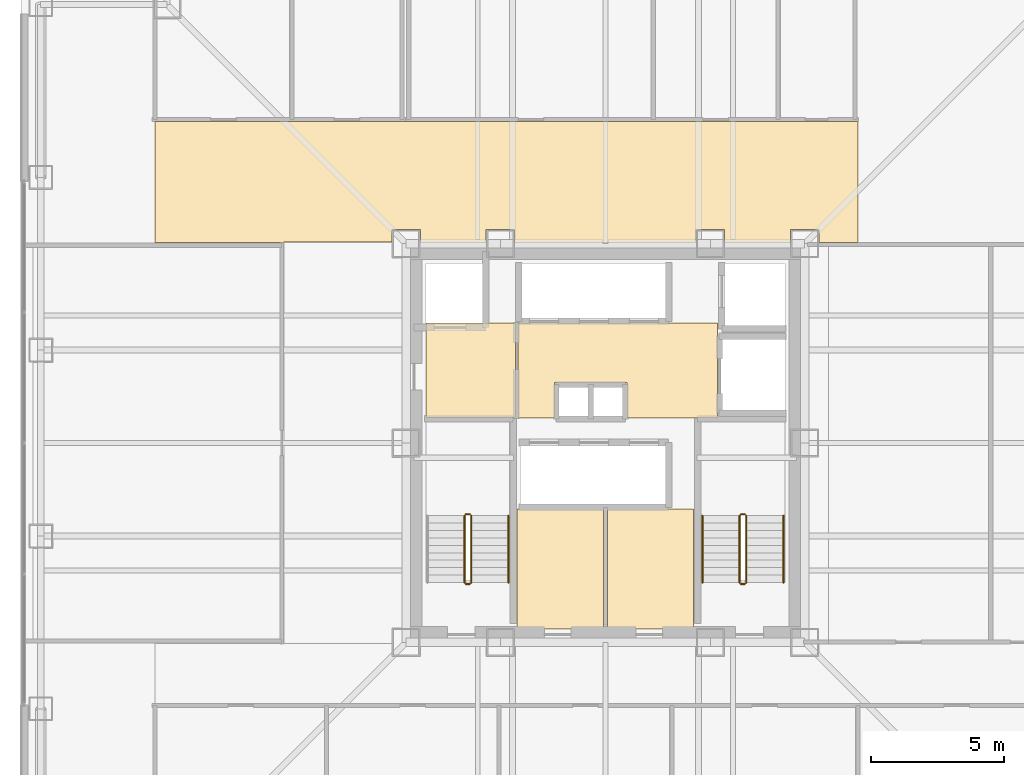
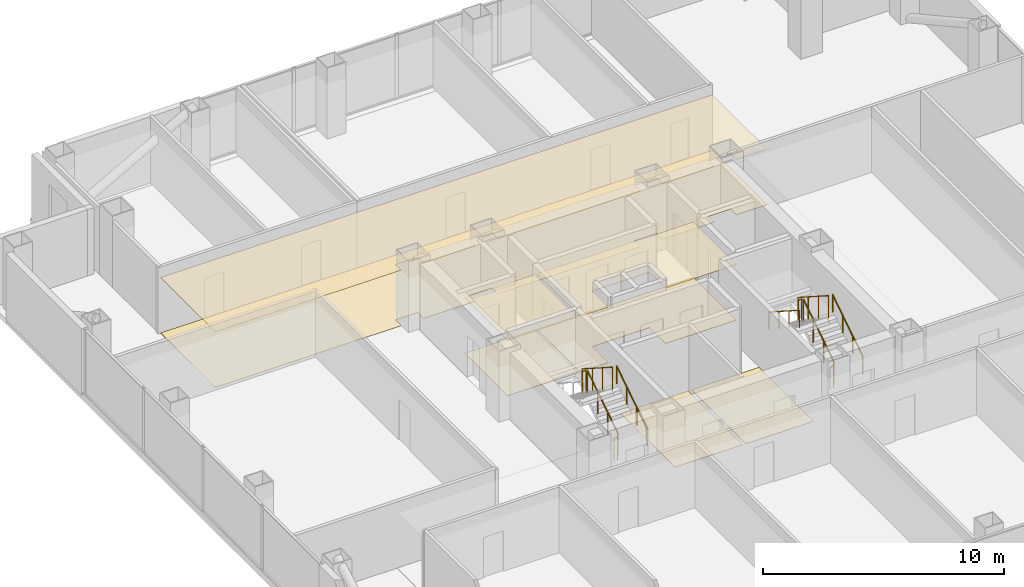
# One storey, part 12 of 13: 11 railings, 8 coverings.
"""IFC4 building model written with IfcOpenShell, lengths in metres."""

from ifc_helpers import new_model, si_unit, direction, frame, origin, origin_2d, place, context, subcontext, project, spatial, polyline, circle, outline, extrude, material, layer, layer_set, type_object, element, save


model = new_model("IFC4")

# Units and contexts
model_context = context("Model", 3, precision=1e-05, world=origin(), true_north=direction((0.0, 1.0)))
body_context = subcontext(model_context, "Body", "Model", "MODEL_VIEW")
ifc_project = project(units=[si_unit("LENGTHUNIT", "METRE"), si_unit("AREAUNIT", "SQUARE_METRE"), si_unit("VOLUMEUNIT", "CUBIC_METRE"), si_unit("PLANEANGLEUNIT", "RADIAN"), si_unit("MASSUNIT", "GRAM", prefix="KILO")], contexts=[model_context])

# Site, building, storey
site_placement = place(None, origin())
site = spatial("IfcSite", under=ifc_project, at=site_placement, CompositionType="ELEMENT")
building_placement = place(site_placement, origin())
building = spatial("IfcBuilding", under=site, at=building_placement, Name="Trevonay Congress Spire", CompositionType="ELEMENT")
storey_placement = place(building_placement, frame((0.0, 0.0, 112.0)))
storey = spatial("IfcBuildingStorey", under=building, at=storey_placement, Name="L28", CompositionType="ELEMENT", Elevation=112.0)

# Coverings
ifc_material_1 = material(Name="Acoustic Mineral Fibre Board", Category="gypsum")
ifc_layer_1 = layer(ifc_material_1, 0.02490234375, Name="Acoustic Mineral Fibre Board")
ifc_layer_set_1 = layer_set([ifc_layer_1], Name="Acoustic Mineral Fibre Board")
covering_type_1 = type_object("IfcCoveringType", Name="COV-CEIL-ACOUSTIC", PredefinedType="CEILING", material=ifc_layer_set_1)
covering_1_placement = place(storey_placement, frame((0.0, 0.0, 2.81005859375)))
element("IfcCovering", 1, at=covering_1_placement, inside=storey, type_object=covering_type_1, Name="L28 Firefighting Lift Lobby West acoustic suspended ceiling", PredefinedType="CEILING", context=body_context, shape_type="SweptSolid", body=[
    extrude(outline(polyline([(-6.75, 0.9599609375), (-3.3798828125, 0.9599609375), (-3.3798828125, 4.52001953125), (-6.75, 4.52001953125), (-6.75, 0.9599609375)])), origin(), (0.0, 0.0, 1.0), 0.02490234375),
])
covering_2_placement = place(storey_placement, frame((0.0, 0.0, 2.81005859375)))
element("IfcCovering", 2, at=covering_2_placement, inside=storey, type_object=covering_type_1, Name="L28 Central and High-Rise Passenger Lift Lobby acoustic suspended ceiling", PredefinedType="CEILING", context=body_context, shape_type="SweptSolid", body=[
    extrude(outline(polyline([(-3.280029296875, 0.949951171875), (-1.919921875, 0.949951171875), (-1.919921875, 2.280029296875), (0.820068359375, 2.280029296875), (0.820068359375, 0.949951171875), (4.219970703125, 0.949951171875), (4.219970703125, 4.52001953125), (-3.280029296875, 4.52001953125), (-3.280029296875, 0.949951171875)])), origin(), (0.0, 0.0, 1.0), 0.02490234375),
])
covering_3_placement = place(storey_placement, frame((0.0, 0.0, 2.81005859375)))
element("IfcCovering", 3, at=covering_3_placement, inside=storey, type_object=covering_type_1, Name="L28 North Sky Promenade Salon acoustic suspended ceiling", PredefinedType="CEILING", context=body_context, shape_type="SweptSolid", body=[
    extrude(outline(polyline([(-16.949951171875, 12.10009765625), (9.5, 12.10009765625), (9.5, 7.550048828125), (8.034912109375, 7.550048828125), (8.034912109375, 8.034912109375), (6.965087890625, 8.034912109375), (6.965087890625, 7.550048828125), (4.485107421875, 7.550048828125), (4.485107421875, 8.034912109375), (3.4150390625, 8.034912109375), (3.4150390625, 7.550048828125), (-3.4150390625, 7.550048828125), (-3.4150390625, 8.034912109375), (-4.485107421875, 8.034912109375), (-4.485107421875, 7.550048828125), (-6.965087890625, 7.550048828125), (-6.965087890625, 8.034912109375), (-8.034912109375, 8.034912109375), (-8.034912109375, 7.56005859375), (-12.110107421875, 7.56005859375), (-12.110107421875, 7.550048828125), (-16.949951171875, 7.550048828125), (-16.949951171875, 12.10009765625)])), origin(), (0.0, 0.0, 1.0), 0.02490234375),
])
ifc_material_2 = material(Name="Polished Granite Floor Tile", Category="masonry")
ifc_layer_2 = layer(ifc_material_2, 0.02001953125, Name="Polished Granite Floor Tile")
ifc_layer_set_2 = layer_set([ifc_layer_2], Name="Polished Granite Floor Tile")
covering_type_2 = type_object("IfcCoveringType", Name="COV-FLOOR-STONE", PredefinedType="FLOORING", material=ifc_layer_set_2)
covering_4_placement = place(storey_placement, origin())
element("IfcCovering", 4, at=covering_4_placement, inside=storey, type_object=covering_type_2, Name="L28 Firefighting Lift Lobby West floor finish", PredefinedType="FLOORING", context=body_context, shape_type="SweptSolid", body=[
    extrude(outline(polyline([(-6.75, 0.9599609375), (-3.3798828125, 0.9599609375), (-3.3798828125, 4.52001953125), (-6.75, 4.52001953125), (-6.75, 0.9599609375)])), origin(), (0.0, 0.0, 1.0), 0.02001953125),
])
covering_5_placement = place(storey_placement, origin())
element("IfcCovering", 5, at=covering_5_placement, inside=storey, type_object=covering_type_2, Name="L28 Central and High-Rise Passenger Lift Lobby floor finish", PredefinedType="FLOORING", context=body_context, shape_type="SweptSolid", body=[
    extrude(outline(polyline([(-3.280029296875, 0.949951171875), (-1.919921875, 0.949951171875), (-1.919921875, 2.280029296875), (0.820068359375, 2.280029296875), (0.820068359375, 0.949951171875), (4.219970703125, 0.949951171875), (4.219970703125, 4.52001953125), (-3.280029296875, 4.52001953125), (-3.280029296875, 0.949951171875)])), origin(), (0.0, 0.0, 1.0), 0.02001953125),
])
covering_6_placement = place(storey_placement, origin())
element("IfcCovering", 6, at=covering_6_placement, inside=storey, type_object=covering_type_2, Name="L28 Core Server and IT Hub floor finish", PredefinedType="FLOORING", context=body_context, shape_type="SweptSolid", body=[
    extrude(outline(polyline([(-3.320068359375, -7.0), (-0.080078125, -7.0), (-0.080078125, -2.47998046875), (-3.320068359375, -2.47998046875), (-3.320068359375, -7.0)])), origin(), (0.0, 0.0, 1.0), 0.02001953125),
])
covering_7_placement = place(storey_placement, origin())
element("IfcCovering", 7, at=covering_7_placement, inside=storey, type_object=covering_type_2, Name="L28 Core Document Archive Room floor finish", PredefinedType="FLOORING", context=body_context, shape_type="SweptSolid", body=[
    extrude(outline(polyline([(0.080078125, -7.0), (3.320068359375, -7.0), (3.320068359375, -2.47998046875), (0.080078125, -2.47998046875), (0.080078125, -7.0)])), origin(), (0.0, 0.0, 1.0), 0.02001953125),
])
ifc_material_3 = material(Name="Engineered Oak Flooring", Category="wood")
ifc_layer_3 = layer(ifc_material_3, 0.01806640625, Name="Engineered Oak Flooring")
ifc_layer_set_3 = layer_set([ifc_layer_3], Name="Engineered Oak Flooring")
covering_type_3 = type_object("IfcCoveringType", Name="COV-FLOOR-TIMBER", PredefinedType="FLOORING", material=ifc_layer_set_3)
covering_8_placement = place(storey_placement, origin())
element("IfcCovering", 8, at=covering_8_placement, inside=storey, type_object=covering_type_3, Name="L28 North Sky Promenade Salon floor finish", PredefinedType="FLOORING", context=body_context, shape_type="SweptSolid", body=[
    extrude(outline(polyline([(-16.949951171875, 12.10009765625), (9.5, 12.10009765625), (9.5, 7.550048828125), (8.034912109375, 7.550048828125), (8.034912109375, 8.034912109375), (6.965087890625, 8.034912109375), (6.965087890625, 7.550048828125), (4.485107421875, 7.550048828125), (4.485107421875, 8.034912109375), (3.4150390625, 8.034912109375), (3.4150390625, 7.550048828125), (-3.4150390625, 7.550048828125), (-3.4150390625, 8.034912109375), (-4.485107421875, 8.034912109375), (-4.485107421875, 7.550048828125), (-6.965087890625, 7.550048828125), (-6.965087890625, 8.034912109375), (-8.034912109375, 8.034912109375), (-8.034912109375, 7.56005859375), (-12.110107421875, 7.56005859375), (-12.110107421875, 7.550048828125), (-16.949951171875, 7.550048828125), (-16.949951171875, 12.10009765625)])), origin(), (0.0, 0.0, 1.0), 0.01806640625),
])

# Railings
ifc_material_4 = material(Name="Pale Anodised Aluminium EN AW-6063-T6", Category="aluminium")
railing_type_1 = type_object("IfcRailingType", Name="RAL-STAIR-GUARD-110", PredefinedType="GUARDRAIL", material=ifc_material_4)
railing_1_placement = place(storey_placement, frame((-5.050048828125, -5.25, 0.179931640625)))
element("IfcRailing", 9, at=railing_1_placement, inside=storey, type_object=railing_type_1, Name="L28 ST-1 stair guard 1", PredefinedType="GUARDRAIL", context=body_context, shape_type="SweptSolid", body=[
    extrude(circle(Radius=0.02392578125, at=origin_2d()), frame((0.0, 0.0, 1.1259765625), z_axis=(0.0, 0.841162588446, 0.540782303519), x_axis=(-1.0, 0.0, 0.0)), (0.0, 0.0, 1.0), 2.995849609375),
    extrude(circle(Radius=0.02099609375, at=origin_2d()), origin(), (0.0, 0.0, 1.0), 1.101806640625),
    extrude(circle(Radius=0.02099609375, at=origin_2d()), frame((0.0, 0.840087890625, 0.5400390625)), (0.0, 0.0, 1.0), 1.101806640625),
    extrude(circle(Radius=0.02099609375, at=origin_2d()), frame((0.0, 1.679931640625, 1.080078125)), (0.0, 0.0, 1.0), 1.101806640625),
    extrude(circle(Radius=0.02099609375, at=origin_2d()), frame((0.0, 2.52001953125, 1.6201171875)), (0.0, 0.0, 1.0), 1.101806640625),
])
railing_2_placement = place(storey_placement, frame((-5.10009765625, -2.679931640625, 1.800048828125)))
element("IfcRailing", 10, at=railing_2_placement, inside=storey, type_object=railing_type_1, Name="L28 ST-1 stair guard 2", PredefinedType="GUARDRAIL", context=body_context, shape_type="SweptSolid", body=[
    extrude(circle(Radius=0.02392578125, at=origin_2d()), frame((0.0, 0.0, 1.1259765625), z_axis=(-1.0, 0.0, 0.0), x_axis=(0.0, -1.0, 0.0)), (0.0, 0.0, 1.0), 0.14990234375),
    extrude(circle(Radius=0.02099609375, at=origin_2d()), origin(), (0.0, 0.0, 1.0), 1.101806640625),
    extrude(circle(Radius=0.02099609375, at=origin_2d()), frame((-0.14990234375, 0.0, 0.0)), (0.0, 0.0, 1.0), 1.101806640625),
])
railing_3_placement = place(storey_placement, frame((-5.300048828125, -2.72998046875, 1.97998046875)))
element("IfcRailing", 11, at=railing_3_placement, inside=storey, type_object=railing_type_1, Name="L28 ST-1 stair guard 3", PredefinedType="GUARDRAIL", context=body_context, shape_type="SweptSolid", body=[
    extrude(circle(Radius=0.02392578125, at=origin_2d()), frame((0.0, 0.0, 1.1259765625), z_axis=(0.0, -0.841162588446, 0.540782303519), x_axis=(1.0, 0.0, 0.0)), (0.0, 0.0, 1.0), 2.995849609375),
    extrude(circle(Radius=0.02099609375, at=origin_2d()), origin(), (0.0, 0.0, 1.0), 1.101806640625),
    extrude(circle(Radius=0.02099609375, at=origin_2d()), frame((0.0, -0.840087890625, 0.5400390625)), (0.0, 0.0, 1.0), 1.101806640625),
    extrude(circle(Radius=0.02099609375, at=origin_2d()), frame((0.0, -1.679931640625, 1.080078125)), (0.0, 0.0, 1.0), 1.101806640625),
    extrude(circle(Radius=0.02099609375, at=origin_2d()), frame((0.0, -2.52001953125, 1.6201171875)), (0.0, 0.0, 1.0), 1.101806640625),
])
railing_4_placement = place(storey_placement, frame((-5.10009765625, -5.300048828125, 0.0)))
element("IfcRailing", 12, at=railing_4_placement, inside=storey, type_object=railing_type_1, Name="L28 ST-1 stair guard 4", PredefinedType="GUARDRAIL", context=body_context, shape_type="SweptSolid", body=[
    extrude(circle(Radius=0.02392578125, at=origin_2d()), frame((0.0, 0.0, 1.1259765625), z_axis=(-1.0, 0.0, 0.0), x_axis=(0.0, -1.0, 0.0)), (0.0, 0.0, 1.0), 0.14990234375),
    extrude(circle(Radius=0.02099609375, at=origin_2d()), origin(), (0.0, 0.0, 1.0), 1.101806640625),
    extrude(circle(Radius=0.02099609375, at=origin_2d()), frame((-0.14990234375, 0.0, 0.0)), (0.0, 0.0, 1.0), 1.101806640625),
])
railing_5_placement = place(storey_placement, frame((5.300048828125, -5.25, 0.179931640625)))
element("IfcRailing", 13, at=railing_5_placement, inside=storey, type_object=railing_type_1, Name="L28 ST-2 stair guard 1", PredefinedType="GUARDRAIL", context=body_context, shape_type="SweptSolid", body=[
    extrude(circle(Radius=0.02392578125, at=origin_2d()), frame((0.0, 0.0, 1.1259765625), z_axis=(0.0, 0.841162588446, 0.540782303519), x_axis=(-1.0, 0.0, 0.0)), (0.0, 0.0, 1.0), 2.995849609375),
    extrude(circle(Radius=0.02099609375, at=origin_2d()), origin(), (0.0, 0.0, 1.0), 1.101806640625),
    extrude(circle(Radius=0.02099609375, at=origin_2d()), frame((0.0, 0.840087890625, 0.5400390625)), (0.0, 0.0, 1.0), 1.101806640625),
    extrude(circle(Radius=0.02099609375, at=origin_2d()), frame((0.0, 1.679931640625, 1.080078125)), (0.0, 0.0, 1.0), 1.101806640625),
    extrude(circle(Radius=0.02099609375, at=origin_2d()), frame((0.0, 2.52001953125, 1.6201171875)), (0.0, 0.0, 1.0), 1.101806640625),
])
railing_6_placement = place(storey_placement, frame((5.25, -2.679931640625, 1.800048828125)))
element("IfcRailing", 14, at=railing_6_placement, inside=storey, type_object=railing_type_1, Name="L28 ST-2 stair guard 2", PredefinedType="GUARDRAIL", context=body_context, shape_type="SweptSolid", body=[
    extrude(circle(Radius=0.02392578125, at=origin_2d()), frame((0.0, 0.0, 1.1259765625), z_axis=(-1.0, 0.0, 0.0), x_axis=(0.0, -1.0, 0.0)), (0.0, 0.0, 1.0), 0.14990234375),
    extrude(circle(Radius=0.02099609375, at=origin_2d()), origin(), (0.0, 0.0, 1.0), 1.101806640625),
    extrude(circle(Radius=0.02099609375, at=origin_2d()), frame((-0.14990234375, 0.0, 0.0)), (0.0, 0.0, 1.0), 1.101806640625),
])
railing_7_placement = place(storey_placement, frame((5.050048828125, -2.72998046875, 1.97998046875)))
element("IfcRailing", 15, at=railing_7_placement, inside=storey, type_object=railing_type_1, Name="L28 ST-2 stair guard 3", PredefinedType="GUARDRAIL", context=body_context, shape_type="SweptSolid", body=[
    extrude(circle(Radius=0.02392578125, at=origin_2d()), frame((0.0, 0.0, 1.1259765625), z_axis=(0.0, -0.841162588446, 0.540782303519), x_axis=(1.0, 0.0, 0.0)), (0.0, 0.0, 1.0), 2.995849609375),
    extrude(circle(Radius=0.02099609375, at=origin_2d()), origin(), (0.0, 0.0, 1.0), 1.101806640625),
    extrude(circle(Radius=0.02099609375, at=origin_2d()), frame((0.0, -0.840087890625, 0.5400390625)), (0.0, 0.0, 1.0), 1.101806640625),
    extrude(circle(Radius=0.02099609375, at=origin_2d()), frame((0.0, -1.679931640625, 1.080078125)), (0.0, 0.0, 1.0), 1.101806640625),
    extrude(circle(Radius=0.02099609375, at=origin_2d()), frame((0.0, -2.52001953125, 1.6201171875)), (0.0, 0.0, 1.0), 1.101806640625),
])
railing_8_placement = place(storey_placement, frame((5.25, -5.300048828125, 0.0)))
element("IfcRailing", 16, at=railing_8_placement, inside=storey, type_object=railing_type_1, Name="L28 ST-2 stair guard 4", PredefinedType="GUARDRAIL", context=body_context, shape_type="SweptSolid", body=[
    extrude(circle(Radius=0.02392578125, at=origin_2d()), frame((0.0, 0.0, 1.1259765625), z_axis=(-1.0, 0.0, 0.0), x_axis=(0.0, -1.0, 0.0)), (0.0, 0.0, 1.0), 0.14990234375),
    extrude(circle(Radius=0.02099609375, at=origin_2d()), origin(), (0.0, 0.0, 1.0), 1.101806640625),
    extrude(circle(Radius=0.02099609375, at=origin_2d()), frame((-0.14990234375, 0.0, 0.0)), (0.0, 0.0, 1.0), 1.101806640625),
])
railing_type_2 = type_object("IfcRailingType", Name="RAL-STAIR-HANDRAIL", PredefinedType="HANDRAIL", material=ifc_material_4)
for number, where, name in (
    (17, (-3.64990234375, -5.25, 0.179931640625), "L28 ST-1 stair handrail 1"),
    (18, (6.699951171875, -5.25, 0.179931640625), "L28 ST-2 stair handrail 1"),
):
    element("IfcRailing", number, at=place(storey_placement, frame(where)), inside=storey, type_object=railing_type_2, Name=name, PredefinedType="HANDRAIL", context=body_context, shape_type="SweptSolid", body=[
        extrude(circle(Radius=0.02392578125, at=origin_2d()), frame((0.0, 0.0, 0.8759765625), z_axis=(0.0, 0.841162588446, 0.540782303519), x_axis=(-1.0, 0.0, 0.0)), (0.0, 0.0, 1.0), 2.995849609375),
        extrude(circle(Radius=0.02099609375, at=origin_2d()), origin(), (0.0, 0.0, 1.0), 0.851806640625),
        extrude(circle(Radius=0.02099609375, at=origin_2d()), frame((0.0, 0.840087890625, 0.5400390625)), (0.0, 0.0, 1.0), 0.851806640625),
        extrude(circle(Radius=0.02099609375, at=origin_2d()), frame((0.0, 1.679931640625, 1.080078125)), (0.0, 0.0, 1.0), 0.851806640625),
        extrude(circle(Radius=0.02099609375, at=origin_2d()), frame((0.0, 2.52001953125, 1.6201171875)), (0.0, 0.0, 1.0), 0.851806640625),
    ])
railing_9_placement = place(storey_placement, frame((3.64990234375, -2.72998046875, 1.97998046875)))
element("IfcRailing", 19, at=railing_9_placement, inside=storey, type_object=railing_type_2, Name="L28 ST-2 stair handrail 2", PredefinedType="HANDRAIL", context=body_context, shape_type="SweptSolid", body=[
    extrude(circle(Radius=0.02392578125, at=origin_2d()), frame((0.0, 0.0, 0.8759765625), z_axis=(0.0, -0.841162588446, 0.540782303519), x_axis=(1.0, 0.0, 0.0)), (0.0, 0.0, 1.0), 2.995849609375),
    extrude(circle(Radius=0.02099609375, at=origin_2d()), origin(), (0.0, 0.0, 1.0), 0.851806640625),
    extrude(circle(Radius=0.02099609375, at=origin_2d()), frame((0.0, -0.840087890625, 0.5400390625)), (0.0, 0.0, 1.0), 0.851806640625),
    extrude(circle(Radius=0.02099609375, at=origin_2d()), frame((0.0, -1.679931640625, 1.080078125)), (0.0, 0.0, 1.0), 0.851806640625),
    extrude(circle(Radius=0.02099609375, at=origin_2d()), frame((0.0, -2.52001953125, 1.6201171875)), (0.0, 0.0, 1.0), 0.851806640625),
])

save(model, "model.ifc")
